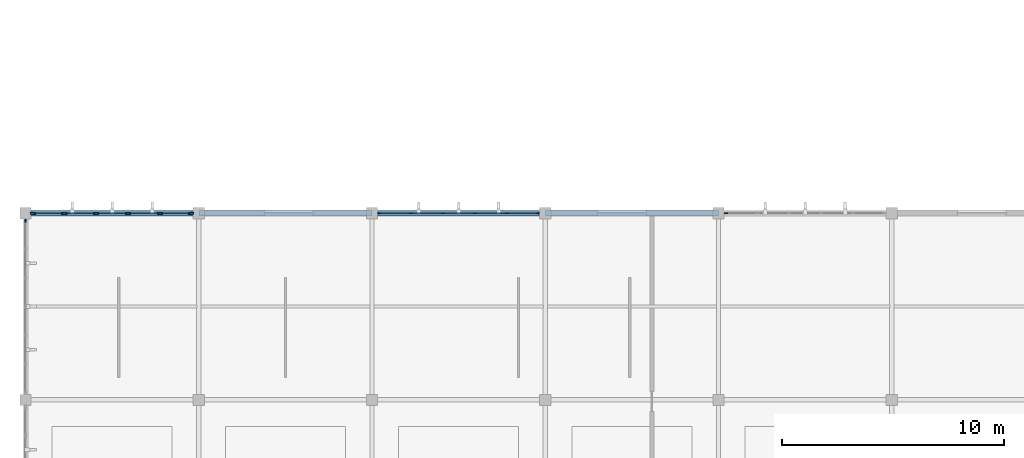
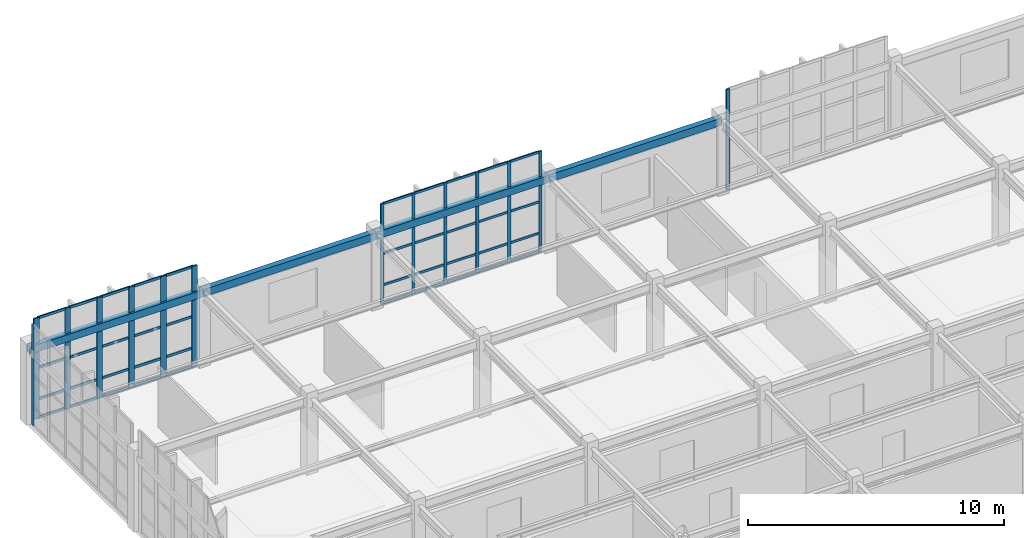
# One storey, part 7 of 20: 54 members, 4 beams, 4 elements without a shape of their own.
"""IFC4 building model written with IfcOpenShell, lengths in metres."""

from ifc_helpers import new_model, si_unit, direction, frame, origin, origin_2d, place, context, subcontext, project, spatial, rectangle, hollow_rectangle, extrude, material, material_profile, profile_set, type_object, element, aggregate, save


model = new_model("IFC4")

# Units and contexts
model_context = context("Model", 3, precision=1e-05, world=origin(), true_north=direction((0.0, 1.0)))
body_context = subcontext(model_context, "Body", "Model", "MODEL_VIEW")
ifc_project = project(units=[si_unit("LENGTHUNIT", "METRE"), si_unit("AREAUNIT", "SQUARE_METRE"), si_unit("VOLUMEUNIT", "CUBIC_METRE"), si_unit("PLANEANGLEUNIT", "RADIAN"), si_unit("MASSUNIT", "GRAM", prefix="KILO")], contexts=[model_context])

# Site, building, storey
site_placement = place(None, origin())
site = spatial("IfcSite", under=ifc_project, at=site_placement, CompositionType="ELEMENT")
building_placement = place(site_placement, origin())
building = spatial("IfcBuilding", under=site, at=building_placement, Name="Tizgana Railside Sports Hall", CompositionType="ELEMENT")
storey_placement = place(building_placement, frame((0.0, 0.0, 19.800048828125)))
storey = spatial("IfcBuildingStorey", under=building, at=storey_placement, Name="L04", CompositionType="ELEMENT", Elevation=19.800048828125)

# Curtain wall, members
ifc_material_1 = material(Name="Anodised aluminium and glass", Category="aluminium")
curtain_wall_type_1 = type_object("IfcCurtainWallType", Name="Unitised Curtain Wall Studio 1400", PredefinedType="NOTDEFINED", material=ifc_material_1)
curtain_wall_1_placement = place(storey_placement, origin())
curtain_wall_1 = element("IfcCurtainWall", 1, at=curtain_wall_1_placement, inside=storey, type_object=curtain_wall_type_1, Name="L04 Curtain Wall CW-0138", PredefinedType="NOTDEFINED")
ifc_material_2 = material(Name="Anodised aluminium", Category="aluminium")
ifc_material_profile_1 = material_profile(ifc_material_2, rectangle(XDim=0.06005859375, YDim=0.139892578125, at=origin_2d()), Name="Mullion 60x140")
ifc_profile_set_1 = profile_set([ifc_material_profile_1], Name="Anodised aluminium")
member_type_1 = type_object("IfcMemberType", Name="Mullion 60x140", PredefinedType="MULLION", material=ifc_profile_set_1)
member_1_placement = place(storey_placement, frame((23.735107421875, 32.39990234375, 0.0), z_axis=(0.0, 0.0, 1.0), x_axis=(0.0, 1.0, 0.0)))
member_1 = element("IfcMember", 2, at=member_1_placement, type_object=member_type_1, Name="CW-03 mullion 1", PredefinedType="MULLION", context=body_context, shape_type="SweptSolid", body=[
    extrude(rectangle(XDim=0.06005859375, YDim=0.139892578125, at=origin_2d()), origin(), (0.0, 0.0, 1.0), 4.800048828125),
])
member_2_placement = place(storey_placement, frame((25.14306640625, 32.39990234375, 0.0), z_axis=(0.0, 0.0, 1.0), x_axis=(0.0, 1.0, 0.0)))
member_2 = element("IfcMember", 3, at=member_2_placement, type_object=member_type_1, Name="CW-03 mullion 2", PredefinedType="MULLION", context=body_context, shape_type="SweptSolid", body=[
    extrude(rectangle(XDim=0.06005859375, YDim=0.139892578125, at=origin_2d()), origin(), (0.0, 0.0, 1.0), 4.800048828125),
])
member_3_placement = place(storey_placement, frame((26.5810546875, 32.39990234375, 0.0), z_axis=(0.0, 0.0, 1.0), x_axis=(0.0, 1.0, 0.0)))
member_3 = element("IfcMember", 4, at=member_3_placement, type_object=member_type_1, Name="CW-03 mullion 3", PredefinedType="MULLION", context=body_context, shape_type="SweptSolid", body=[
    extrude(rectangle(XDim=0.06005859375, YDim=0.139892578125, at=origin_2d()), origin(), (0.0, 0.0, 1.0), 4.800048828125),
])
member_4_placement = place(storey_placement, frame((28.01904296875, 32.39990234375, 0.0), z_axis=(0.0, 0.0, 1.0), x_axis=(0.0, 1.0, 0.0)))
member_4 = element("IfcMember", 5, at=member_4_placement, type_object=member_type_1, Name="CW-03 mullion 4", PredefinedType="MULLION", context=body_context, shape_type="SweptSolid", body=[
    extrude(rectangle(XDim=0.06005859375, YDim=0.139892578125, at=origin_2d()), origin(), (0.0, 0.0, 1.0), 4.800048828125),
])
member_5_placement = place(storey_placement, frame((29.45703125, 32.39990234375, 0.0), z_axis=(0.0, 0.0, 1.0), x_axis=(0.0, 1.0, 0.0)))
member_5 = element("IfcMember", 6, at=member_5_placement, type_object=member_type_1, Name="CW-03 mullion 5", PredefinedType="MULLION", context=body_context, shape_type="SweptSolid", body=[
    extrude(rectangle(XDim=0.06005859375, YDim=0.139892578125, at=origin_2d()), origin(), (0.0, 0.0, 1.0), 4.800048828125),
])
member_6_placement = place(storey_placement, frame((30.864990234375, 32.39990234375, 0.0), z_axis=(0.0, 0.0, 1.0), x_axis=(0.0, 1.0, 0.0)))
member_6 = element("IfcMember", 7, at=member_6_placement, type_object=member_type_1, Name="CW-03 mullion 6", PredefinedType="MULLION", context=body_context, shape_type="SweptSolid", body=[
    extrude(rectangle(XDim=0.06005859375, YDim=0.139892578125, at=origin_2d()), origin(), (0.0, 0.0, 1.0), 4.800048828125),
])

# Curtain wall, member
curtain_wall_type_2 = type_object("IfcCurtainWallType", Name="Unitised Curtain Wall Concourse 1500", PredefinedType="NOTDEFINED", material=ifc_material_1)
curtain_wall_2_placement = place(storey_placement, origin())
curtain_wall_2 = element("IfcCurtainWall", 8, at=curtain_wall_2_placement, inside=storey, type_object=curtain_wall_type_2, Name="L04 Curtain Wall CW-0144", PredefinedType="NOTDEFINED")
member_7_placement = place(storey_placement, frame((7.800048828125, 32.06494140625, 0.0), z_axis=(0.0, 0.0, 1.0), x_axis=(1.0, 0.0, 0.0)))
member_7 = element("IfcMember", 9, at=member_7_placement, type_object=member_type_1, Name="CW-01 mullion 1", PredefinedType="MULLION", context=body_context, shape_type="SweptSolid", body=[
    extrude(rectangle(XDim=0.06005859375, YDim=0.139892578125, at=origin_2d()), origin(), (0.0, 0.0, 1.0), 4.800048828125),
])
aggregate(curtain_wall_2, [member_7])

curtain_wall_type_3 = type_object("IfcCurtainWallType", Name="Unitised Curtain Wall Climbing 1600", PredefinedType="NOTDEFINED", material=ifc_material_1)
curtain_wall_3_placement = place(storey_placement, origin())
curtain_wall_3 = element("IfcCurtainWall", 10, at=curtain_wall_3_placement, inside=storey, type_object=curtain_wall_type_3, Name="L04 Curtain Wall CW-0139", PredefinedType="NOTDEFINED")
ifc_material_profile_2 = material_profile(ifc_material_2, rectangle(XDim=0.06005859375, YDim=0.159912109375, at=origin_2d()), Name="Mullion 60x160")
ifc_profile_set_2 = profile_set([ifc_material_profile_2], Name="Anodised aluminium")
member_type_2 = type_object("IfcMemberType", Name="Mullion 60x160", PredefinedType="MULLION", material=ifc_profile_set_2)
member_8_placement = place(storey_placement, frame((39.3349609375, 32.39990234375, 0.0), z_axis=(0.0, 0.0, 1.0), x_axis=(0.0, 1.0, 0.0)))
member_8 = element("IfcMember", 11, at=member_8_placement, type_object=member_type_2, Name="CW-04 mullion 1", PredefinedType="MULLION", context=body_context, shape_type="SweptSolid", body=[
    extrude(rectangle(XDim=0.06005859375, YDim=0.159912109375, at=origin_2d()), origin(), (0.0, 0.0, 1.0), 4.800048828125),
])
aggregate(curtain_wall_3, [member_8])

# Curtain wall, members
curtain_wall_type_4 = type_object("IfcCurtainWallType", Name="Unitised Curtain Wall Foyer 1300", PredefinedType="NOTDEFINED", material=ifc_material_1)
curtain_wall_4_placement = place(storey_placement, origin())
curtain_wall_4 = element("IfcCurtainWall", 12, at=curtain_wall_4_placement, inside=storey, type_object=curtain_wall_type_4, Name="L04 Curtain Wall CW-0137", PredefinedType="NOTDEFINED")
ifc_material_profile_3 = material_profile(ifc_material_2, rectangle(XDim=0.074951171875, YDim=0.25, at=origin_2d()), Name="Mullion 75x250")
ifc_profile_set_3 = profile_set([ifc_material_profile_3], Name="Anodised aluminium")
member_type_3 = type_object("IfcMemberType", Name="Mullion 75x250", PredefinedType="MULLION", material=ifc_profile_set_3)
member_9_placement = place(storey_placement, frame((8.142578125, 32.39990234375, 0.0), z_axis=(0.0, 0.0, 1.0), x_axis=(0.0, 1.0, 0.0)))
member_9 = element("IfcMember", 13, at=member_9_placement, type_object=member_type_3, Name="CW-02 mullion 1", PredefinedType="MULLION", context=body_context, shape_type="SweptSolid", body=[
    extrude(rectangle(XDim=0.074951171875, YDim=0.25, at=origin_2d()), origin(), (0.0, 0.0, 1.0), 4.800048828125),
])
member_10_placement = place(storey_placement, frame((9.54296875, 32.39990234375, 0.0), z_axis=(0.0, 0.0, 1.0), x_axis=(0.0, 1.0, 0.0)))
member_10 = element("IfcMember", 14, at=member_10_placement, type_object=member_type_3, Name="CW-02 mullion 2", PredefinedType="MULLION", context=body_context, shape_type="SweptSolid", body=[
    extrude(rectangle(XDim=0.074951171875, YDim=0.25, at=origin_2d()), origin(), (0.0, 0.0, 1.0), 4.800048828125),
])
member_11_placement = place(storey_placement, frame((10.98095703125, 32.39990234375, 0.0), z_axis=(0.0, 0.0, 1.0), x_axis=(0.0, 1.0, 0.0)))
member_11 = element("IfcMember", 15, at=member_11_placement, type_object=member_type_3, Name="CW-02 mullion 3", PredefinedType="MULLION", context=body_context, shape_type="SweptSolid", body=[
    extrude(rectangle(XDim=0.074951171875, YDim=0.25, at=origin_2d()), origin(), (0.0, 0.0, 1.0), 4.800048828125),
])
member_12_placement = place(storey_placement, frame((12.4189453125, 32.39990234375, 0.0), z_axis=(0.0, 0.0, 1.0), x_axis=(0.0, 1.0, 0.0)))
member_12 = element("IfcMember", 16, at=member_12_placement, type_object=member_type_3, Name="CW-02 mullion 4", PredefinedType="MULLION", context=body_context, shape_type="SweptSolid", body=[
    extrude(rectangle(XDim=0.074951171875, YDim=0.25, at=origin_2d()), origin(), (0.0, 0.0, 1.0), 4.800048828125),
])
member_13_placement = place(storey_placement, frame((13.85693359375, 32.39990234375, 0.0), z_axis=(0.0, 0.0, 1.0), x_axis=(0.0, 1.0, 0.0)))
member_13 = element("IfcMember", 17, at=member_13_placement, type_object=member_type_3, Name="CW-02 mullion 5", PredefinedType="MULLION", context=body_context, shape_type="SweptSolid", body=[
    extrude(rectangle(XDim=0.074951171875, YDim=0.25, at=origin_2d()), origin(), (0.0, 0.0, 1.0), 4.800048828125),
])
member_14_placement = place(storey_placement, frame((15.257568359375, 32.39990234375, 0.0), z_axis=(0.0, 0.0, 1.0), x_axis=(0.0, 1.0, 0.0)))
member_14 = element("IfcMember", 18, at=member_14_placement, type_object=member_type_3, Name="CW-02 mullion 6", PredefinedType="MULLION", context=body_context, shape_type="SweptSolid", body=[
    extrude(rectangle(XDim=0.074951171875, YDim=0.25, at=origin_2d()), origin(), (0.0, 0.0, 1.0), 4.800048828125),
])

# Beams
ifc_material_3 = material(Name="Steel S355J2", Category="steel")
ifc_material_profile_4 = material_profile(ifc_material_3, hollow_rectangle(XDim=0.25, YDim=0.35009765625, WallThickness=0.011962890625, at=origin_2d()), Name="RHS 350x250x12")
ifc_profile_set_4 = profile_set([ifc_material_profile_4], Name="Steel S355J2")
beam_type = type_object("IfcBeamType", Name="Steel Spandrel RHS 350x250x12", PredefinedType="SPANDREL", material=ifc_profile_set_4)
beam_1_placement = place(storey_placement, frame((7.800048828125, 32.39990234375, 3.4208984375), z_axis=(1.0, 0.0, 0.0), x_axis=(0.0, 1.0, 0.0)))
element("IfcBeam", 19, at=beam_1_placement, inside=storey, type_object=beam_type, Name="L04 BEM-0817", PredefinedType="SPANDREL", context=body_context, shape_type="SweptSolid", body=[
    extrude(hollow_rectangle(XDim=0.25, YDim=0.35009765625, WallThickness=0.011962890625, at=origin_2d()), origin(), (0.0, 0.0, 1.0), 7.800048828125),
])
beam_2_placement = place(storey_placement, frame((15.60009765625, 32.39990234375, 3.4208984375), z_axis=(1.0, 0.0, 0.0), x_axis=(0.0, 1.0, 0.0)))
element("IfcBeam", 20, at=beam_2_placement, inside=storey, type_object=beam_type, Name="L04 BEM-0824", PredefinedType="SPANDREL", context=body_context, shape_type="SweptSolid", body=[
    extrude(hollow_rectangle(XDim=0.25, YDim=0.35009765625, WallThickness=0.011962890625, at=origin_2d()), origin(), (0.0, 0.0, 1.0), 7.7998046875),
])
for number, where, z_axis, x_axis, name in (
    (21, (23.39990234375, 32.39990234375, 3.4208984375), (1.0, 0.0, 0.0), (0.0, 1.0, 0.0), "L04 BEM-0832"),
    (22, (31.199951171875, 32.39990234375, 3.4208984375), (1.0, 0.0, 0.0), (0.0, 1.0, 0.0), "L04 BEM-0841"),
):
    element("IfcBeam", number, at=place(storey_placement, frame(where, z_axis=z_axis, x_axis=x_axis)), inside=storey, type_object=beam_type, Name=name, PredefinedType="SPANDREL", context=body_context, shape_type="SweptSolid", body=[
        extrude(hollow_rectangle(XDim=0.25, YDim=0.35009765625, WallThickness=0.011962890625, at=origin_2d()), origin(), (0.0, 0.0, 1.0), 7.800048828125),
    ])

# Member
ifc_material_profile_5 = material_profile(ifc_material_2, rectangle(XDim=0.054931640625, YDim=0.1201171875, at=origin_2d()), Name="Transom 55x120")
ifc_profile_set_5 = profile_set([ifc_material_profile_5], Name="Anodised aluminium")
member_type_4 = type_object("IfcMemberType", Name="Transom 55x120", PredefinedType="USERDEFINED", material=ifc_profile_set_5)
member_15_placement = place(storey_placement, frame((8.179931640625, 32.39990234375, 0.02734375), z_axis=(1.0, 0.0, 0.0), x_axis=(0.0, 1.0, 0.0)))
member_15 = element("IfcMember", 23, at=member_15_placement, type_object=member_type_4, Name="CW-02 transom 1.1", ObjectType="TRANSOM", PredefinedType="USERDEFINED", context=body_context, shape_type="SweptSolid", body=[
    extrude(rectangle(XDim=0.054931640625, YDim=0.1201171875, at=origin_2d()), origin(), (0.0, 0.0, 1.0), 1.32568359375),
])

member_16_placement = place(storey_placement, frame((8.179931640625, 32.39990234375, 0.89990234375), z_axis=(1.0, 0.0, 0.0), x_axis=(0.0, 1.0, 0.0)))
member_16 = element("IfcMember", 24, at=member_16_placement, type_object=member_type_4, Name="CW-02 transom 1.2", ObjectType="TRANSOM", PredefinedType="USERDEFINED", context=body_context, shape_type="SweptSolid", body=[
    extrude(rectangle(XDim=0.054931640625, YDim=0.1201171875, at=origin_2d()), origin(), (0.0, 0.0, 1.0), 1.32568359375),
])

member_17_placement = place(storey_placement, frame((8.179931640625, 32.39990234375, 2.39990234375), z_axis=(1.0, 0.0, 0.0), x_axis=(0.0, 1.0, 0.0)))
member_17 = element("IfcMember", 25, at=member_17_placement, type_object=member_type_4, Name="CW-02 transom 1.3", ObjectType="TRANSOM", PredefinedType="USERDEFINED", context=body_context, shape_type="SweptSolid", body=[
    extrude(rectangle(XDim=0.054931640625, YDim=0.1201171875, at=origin_2d()), origin(), (0.0, 0.0, 1.0), 1.32568359375),
])

member_18_placement = place(storey_placement, frame((8.179931640625, 32.39990234375, 4.7724609375), z_axis=(1.0, 0.0, 0.0), x_axis=(0.0, 1.0, 0.0)))
member_18 = element("IfcMember", 26, at=member_18_placement, type_object=member_type_4, Name="CW-02 transom 1.4", ObjectType="TRANSOM", PredefinedType="USERDEFINED", context=body_context, shape_type="SweptSolid", body=[
    extrude(rectangle(XDim=0.054931640625, YDim=0.1201171875, at=origin_2d()), origin(), (0.0, 0.0, 1.0), 1.32568359375),
])

member_19_placement = place(storey_placement, frame((9.58056640625, 32.39990234375, 0.02734375), z_axis=(1.0, 0.0, 0.0), x_axis=(0.0, 1.0, 0.0)))
member_19 = element("IfcMember", 27, at=member_19_placement, type_object=member_type_4, Name="CW-02 transom 2.1", ObjectType="TRANSOM", PredefinedType="USERDEFINED", context=body_context, shape_type="SweptSolid", body=[
    extrude(rectangle(XDim=0.054931640625, YDim=0.1201171875, at=origin_2d()), origin(), (0.0, 0.0, 1.0), 1.363037109375),
])

member_20_placement = place(storey_placement, frame((9.58056640625, 32.39990234375, 0.89990234375), z_axis=(1.0, 0.0, 0.0), x_axis=(0.0, 1.0, 0.0)))
member_20 = element("IfcMember", 28, at=member_20_placement, type_object=member_type_4, Name="CW-02 transom 2.2", ObjectType="TRANSOM", PredefinedType="USERDEFINED", context=body_context, shape_type="SweptSolid", body=[
    extrude(rectangle(XDim=0.054931640625, YDim=0.1201171875, at=origin_2d()), origin(), (0.0, 0.0, 1.0), 1.363037109375),
])

member_21_placement = place(storey_placement, frame((9.58056640625, 32.39990234375, 2.39990234375), z_axis=(1.0, 0.0, 0.0), x_axis=(0.0, 1.0, 0.0)))
member_21 = element("IfcMember", 29, at=member_21_placement, type_object=member_type_4, Name="CW-02 transom 2.3", ObjectType="TRANSOM", PredefinedType="USERDEFINED", context=body_context, shape_type="SweptSolid", body=[
    extrude(rectangle(XDim=0.054931640625, YDim=0.1201171875, at=origin_2d()), origin(), (0.0, 0.0, 1.0), 1.363037109375),
])

member_22_placement = place(storey_placement, frame((9.58056640625, 32.39990234375, 4.7724609375), z_axis=(1.0, 0.0, 0.0), x_axis=(0.0, 1.0, 0.0)))
member_22 = element("IfcMember", 30, at=member_22_placement, type_object=member_type_4, Name="CW-02 transom 2.4", ObjectType="TRANSOM", PredefinedType="USERDEFINED", context=body_context, shape_type="SweptSolid", body=[
    extrude(rectangle(XDim=0.054931640625, YDim=0.1201171875, at=origin_2d()), origin(), (0.0, 0.0, 1.0), 1.363037109375),
])

member_23_placement = place(storey_placement, frame((11.0185546875, 32.39990234375, 0.02734375), z_axis=(1.0, 0.0, 0.0), x_axis=(0.0, 1.0, 0.0)))
member_23 = element("IfcMember", 31, at=member_23_placement, type_object=member_type_4, Name="CW-02 transom 3.1", ObjectType="TRANSOM", PredefinedType="USERDEFINED", context=body_context, shape_type="SweptSolid", body=[
    extrude(rectangle(XDim=0.054931640625, YDim=0.1201171875, at=origin_2d()), origin(), (0.0, 0.0, 1.0), 1.363037109375),
])

member_24_placement = place(storey_placement, frame((11.0185546875, 32.39990234375, 0.89990234375), z_axis=(1.0, 0.0, 0.0), x_axis=(0.0, 1.0, 0.0)))
member_24 = element("IfcMember", 32, at=member_24_placement, type_object=member_type_4, Name="CW-02 transom 3.2", ObjectType="TRANSOM", PredefinedType="USERDEFINED", context=body_context, shape_type="SweptSolid", body=[
    extrude(rectangle(XDim=0.054931640625, YDim=0.1201171875, at=origin_2d()), origin(), (0.0, 0.0, 1.0), 1.363037109375),
])

member_25_placement = place(storey_placement, frame((11.0185546875, 32.39990234375, 2.39990234375), z_axis=(1.0, 0.0, 0.0), x_axis=(0.0, 1.0, 0.0)))
member_25 = element("IfcMember", 33, at=member_25_placement, type_object=member_type_4, Name="CW-02 transom 3.3", ObjectType="TRANSOM", PredefinedType="USERDEFINED", context=body_context, shape_type="SweptSolid", body=[
    extrude(rectangle(XDim=0.054931640625, YDim=0.1201171875, at=origin_2d()), origin(), (0.0, 0.0, 1.0), 1.363037109375),
])

member_26_placement = place(storey_placement, frame((11.0185546875, 32.39990234375, 4.7724609375), z_axis=(1.0, 0.0, 0.0), x_axis=(0.0, 1.0, 0.0)))
member_26 = element("IfcMember", 34, at=member_26_placement, type_object=member_type_4, Name="CW-02 transom 3.4", ObjectType="TRANSOM", PredefinedType="USERDEFINED", context=body_context, shape_type="SweptSolid", body=[
    extrude(rectangle(XDim=0.054931640625, YDim=0.1201171875, at=origin_2d()), origin(), (0.0, 0.0, 1.0), 1.363037109375),
])

member_27_placement = place(storey_placement, frame((12.45654296875, 32.39990234375, 0.02734375), z_axis=(1.0, 0.0, 0.0), x_axis=(0.0, 1.0, 0.0)))
member_27 = element("IfcMember", 35, at=member_27_placement, type_object=member_type_4, Name="CW-02 transom 4.1", ObjectType="TRANSOM", PredefinedType="USERDEFINED", context=body_context, shape_type="SweptSolid", body=[
    extrude(rectangle(XDim=0.054931640625, YDim=0.1201171875, at=origin_2d()), origin(), (0.0, 0.0, 1.0), 1.363037109375),
])

member_28_placement = place(storey_placement, frame((12.45654296875, 32.39990234375, 0.89990234375), z_axis=(1.0, 0.0, 0.0), x_axis=(0.0, 1.0, 0.0)))
member_28 = element("IfcMember", 36, at=member_28_placement, type_object=member_type_4, Name="CW-02 transom 4.2", ObjectType="TRANSOM", PredefinedType="USERDEFINED", context=body_context, shape_type="SweptSolid", body=[
    extrude(rectangle(XDim=0.054931640625, YDim=0.1201171875, at=origin_2d()), origin(), (0.0, 0.0, 1.0), 1.363037109375),
])

member_29_placement = place(storey_placement, frame((12.45654296875, 32.39990234375, 2.39990234375), z_axis=(1.0, 0.0, 0.0), x_axis=(0.0, 1.0, 0.0)))
member_29 = element("IfcMember", 37, at=member_29_placement, type_object=member_type_4, Name="CW-02 transom 4.3", ObjectType="TRANSOM", PredefinedType="USERDEFINED", context=body_context, shape_type="SweptSolid", body=[
    extrude(rectangle(XDim=0.054931640625, YDim=0.1201171875, at=origin_2d()), origin(), (0.0, 0.0, 1.0), 1.363037109375),
])

member_30_placement = place(storey_placement, frame((12.45654296875, 32.39990234375, 4.7724609375), z_axis=(1.0, 0.0, 0.0), x_axis=(0.0, 1.0, 0.0)))
member_30 = element("IfcMember", 38, at=member_30_placement, type_object=member_type_4, Name="CW-02 transom 4.4", ObjectType="TRANSOM", PredefinedType="USERDEFINED", context=body_context, shape_type="SweptSolid", body=[
    extrude(rectangle(XDim=0.054931640625, YDim=0.1201171875, at=origin_2d()), origin(), (0.0, 0.0, 1.0), 1.363037109375),
])

member_31_placement = place(storey_placement, frame((13.89453125, 32.39990234375, 0.02734375), z_axis=(1.0, 0.0, 0.0), x_axis=(0.0, 1.0, 0.0)))
member_31 = element("IfcMember", 39, at=member_31_placement, type_object=member_type_4, Name="CW-02 transom 5.1", ObjectType="TRANSOM", PredefinedType="USERDEFINED", context=body_context, shape_type="SweptSolid", body=[
    extrude(rectangle(XDim=0.054931640625, YDim=0.1201171875, at=origin_2d()), origin(), (0.0, 0.0, 1.0), 1.325439453125),
])

member_32_placement = place(storey_placement, frame((13.89453125, 32.39990234375, 0.89990234375), z_axis=(1.0, 0.0, 0.0), x_axis=(0.0, 1.0, 0.0)))
member_32 = element("IfcMember", 40, at=member_32_placement, type_object=member_type_4, Name="CW-02 transom 5.2", ObjectType="TRANSOM", PredefinedType="USERDEFINED", context=body_context, shape_type="SweptSolid", body=[
    extrude(rectangle(XDim=0.054931640625, YDim=0.1201171875, at=origin_2d()), origin(), (0.0, 0.0, 1.0), 1.325439453125),
])

member_33_placement = place(storey_placement, frame((13.89453125, 32.39990234375, 2.39990234375), z_axis=(1.0, 0.0, 0.0), x_axis=(0.0, 1.0, 0.0)))
member_33 = element("IfcMember", 41, at=member_33_placement, type_object=member_type_4, Name="CW-02 transom 5.3", ObjectType="TRANSOM", PredefinedType="USERDEFINED", context=body_context, shape_type="SweptSolid", body=[
    extrude(rectangle(XDim=0.054931640625, YDim=0.1201171875, at=origin_2d()), origin(), (0.0, 0.0, 1.0), 1.325439453125),
])

member_34_placement = place(storey_placement, frame((13.89453125, 32.39990234375, 4.7724609375), z_axis=(1.0, 0.0, 0.0), x_axis=(0.0, 1.0, 0.0)))
member_34 = element("IfcMember", 42, at=member_34_placement, type_object=member_type_4, Name="CW-02 transom 5.4", ObjectType="TRANSOM", PredefinedType="USERDEFINED", context=body_context, shape_type="SweptSolid", body=[
    extrude(rectangle(XDim=0.054931640625, YDim=0.1201171875, at=origin_2d()), origin(), (0.0, 0.0, 1.0), 1.325439453125),
])

aggregate(curtain_wall_4, [member_9, member_10, member_11, member_12, member_13, member_14, member_15, member_16, member_17, member_18, member_19, member_20, member_21, member_22, member_23, member_24, member_25, member_26, member_27, member_28, member_29, member_30, member_31, member_32, member_33, member_34])

ifc_material_profile_6 = material_profile(ifc_material_2, rectangle(XDim=0.06005859375, YDim=0.110107421875, at=origin_2d()), Name="Transom 60x110")
ifc_profile_set_6 = profile_set([ifc_material_profile_6], Name="Anodised aluminium")
member_type_5 = type_object("IfcMemberType", Name="Transom 60x110", PredefinedType="USERDEFINED", material=ifc_profile_set_6)
member_35_placement = place(storey_placement, frame((23.764892578125, 32.39990234375, 0.030029296875), z_axis=(1.0, 0.0, 0.0), x_axis=(0.0, 1.0, 0.0)))
member_35 = element("IfcMember", 43, at=member_35_placement, type_object=member_type_5, Name="CW-03 transom 1.1", ObjectType="TRANSOM", PredefinedType="USERDEFINED", context=body_context, shape_type="SweptSolid", body=[
    extrude(rectangle(XDim=0.06005859375, YDim=0.110107421875, at=origin_2d()), origin(), (0.0, 0.0, 1.0), 1.34814453125),
])

member_36_placement = place(storey_placement, frame((23.764892578125, 32.39990234375, 0.89990234375), z_axis=(1.0, 0.0, 0.0), x_axis=(0.0, 1.0, 0.0)))
member_36 = element("IfcMember", 44, at=member_36_placement, type_object=member_type_5, Name="CW-03 transom 1.2", ObjectType="TRANSOM", PredefinedType="USERDEFINED", context=body_context, shape_type="SweptSolid", body=[
    extrude(rectangle(XDim=0.06005859375, YDim=0.110107421875, at=origin_2d()), origin(), (0.0, 0.0, 1.0), 1.34814453125),
])

member_37_placement = place(storey_placement, frame((23.764892578125, 32.39990234375, 2.39990234375), z_axis=(1.0, 0.0, 0.0), x_axis=(0.0, 1.0, 0.0)))
member_37 = element("IfcMember", 45, at=member_37_placement, type_object=member_type_5, Name="CW-03 transom 1.3", ObjectType="TRANSOM", PredefinedType="USERDEFINED", context=body_context, shape_type="SweptSolid", body=[
    extrude(rectangle(XDim=0.06005859375, YDim=0.110107421875, at=origin_2d()), origin(), (0.0, 0.0, 1.0), 1.34814453125),
])

member_38_placement = place(storey_placement, frame((23.764892578125, 32.39990234375, 4.77001953125), z_axis=(1.0, 0.0, 0.0), x_axis=(0.0, 1.0, 0.0)))
member_38 = element("IfcMember", 46, at=member_38_placement, type_object=member_type_5, Name="CW-03 transom 1.4", ObjectType="TRANSOM", PredefinedType="USERDEFINED", context=body_context, shape_type="SweptSolid", body=[
    extrude(rectangle(XDim=0.06005859375, YDim=0.110107421875, at=origin_2d()), origin(), (0.0, 0.0, 1.0), 1.34814453125),
])

member_39_placement = place(storey_placement, frame((25.173095703125, 32.39990234375, 0.030029296875), z_axis=(1.0, 0.0, 0.0), x_axis=(0.0, 1.0, 0.0)))
member_39 = element("IfcMember", 47, at=member_39_placement, type_object=member_type_5, Name="CW-03 transom 2.1", ObjectType="TRANSOM", PredefinedType="USERDEFINED", context=body_context, shape_type="SweptSolid", body=[
    extrude(rectangle(XDim=0.06005859375, YDim=0.110107421875, at=origin_2d()), origin(), (0.0, 0.0, 1.0), 1.3779296875),
])

member_40_placement = place(storey_placement, frame((25.173095703125, 32.39990234375, 0.89990234375), z_axis=(1.0, 0.0, 0.0), x_axis=(0.0, 1.0, 0.0)))
member_40 = element("IfcMember", 48, at=member_40_placement, type_object=member_type_5, Name="CW-03 transom 2.2", ObjectType="TRANSOM", PredefinedType="USERDEFINED", context=body_context, shape_type="SweptSolid", body=[
    extrude(rectangle(XDim=0.06005859375, YDim=0.110107421875, at=origin_2d()), origin(), (0.0, 0.0, 1.0), 1.3779296875),
])

member_41_placement = place(storey_placement, frame((25.173095703125, 32.39990234375, 2.39990234375), z_axis=(1.0, 0.0, 0.0), x_axis=(0.0, 1.0, 0.0)))
member_41 = element("IfcMember", 49, at=member_41_placement, type_object=member_type_5, Name="CW-03 transom 2.3", ObjectType="TRANSOM", PredefinedType="USERDEFINED", context=body_context, shape_type="SweptSolid", body=[
    extrude(rectangle(XDim=0.06005859375, YDim=0.110107421875, at=origin_2d()), origin(), (0.0, 0.0, 1.0), 1.3779296875),
])

member_42_placement = place(storey_placement, frame((25.173095703125, 32.39990234375, 4.77001953125), z_axis=(1.0, 0.0, 0.0), x_axis=(0.0, 1.0, 0.0)))
member_42 = element("IfcMember", 50, at=member_42_placement, type_object=member_type_5, Name="CW-03 transom 2.4", ObjectType="TRANSOM", PredefinedType="USERDEFINED", context=body_context, shape_type="SweptSolid", body=[
    extrude(rectangle(XDim=0.06005859375, YDim=0.110107421875, at=origin_2d()), origin(), (0.0, 0.0, 1.0), 1.3779296875),
])

member_43_placement = place(storey_placement, frame((26.611083984375, 32.39990234375, 0.030029296875), z_axis=(1.0, 0.0, 0.0), x_axis=(0.0, 1.0, 0.0)))
member_43 = element("IfcMember", 51, at=member_43_placement, type_object=member_type_5, Name="CW-03 transom 3.1", ObjectType="TRANSOM", PredefinedType="USERDEFINED", context=body_context, shape_type="SweptSolid", body=[
    extrude(rectangle(XDim=0.06005859375, YDim=0.110107421875, at=origin_2d()), origin(), (0.0, 0.0, 1.0), 1.3779296875),
])

member_44_placement = place(storey_placement, frame((26.611083984375, 32.39990234375, 0.89990234375), z_axis=(1.0, 0.0, 0.0), x_axis=(0.0, 1.0, 0.0)))
member_44 = element("IfcMember", 52, at=member_44_placement, type_object=member_type_5, Name="CW-03 transom 3.2", ObjectType="TRANSOM", PredefinedType="USERDEFINED", context=body_context, shape_type="SweptSolid", body=[
    extrude(rectangle(XDim=0.06005859375, YDim=0.110107421875, at=origin_2d()), origin(), (0.0, 0.0, 1.0), 1.3779296875),
])

member_45_placement = place(storey_placement, frame((26.611083984375, 32.39990234375, 2.39990234375), z_axis=(1.0, 0.0, 0.0), x_axis=(0.0, 1.0, 0.0)))
member_45 = element("IfcMember", 53, at=member_45_placement, type_object=member_type_5, Name="CW-03 transom 3.3", ObjectType="TRANSOM", PredefinedType="USERDEFINED", context=body_context, shape_type="SweptSolid", body=[
    extrude(rectangle(XDim=0.06005859375, YDim=0.110107421875, at=origin_2d()), origin(), (0.0, 0.0, 1.0), 1.3779296875),
])

member_46_placement = place(storey_placement, frame((26.611083984375, 32.39990234375, 4.77001953125), z_axis=(1.0, 0.0, 0.0), x_axis=(0.0, 1.0, 0.0)))
member_46 = element("IfcMember", 54, at=member_46_placement, type_object=member_type_5, Name="CW-03 transom 3.4", ObjectType="TRANSOM", PredefinedType="USERDEFINED", context=body_context, shape_type="SweptSolid", body=[
    extrude(rectangle(XDim=0.06005859375, YDim=0.110107421875, at=origin_2d()), origin(), (0.0, 0.0, 1.0), 1.3779296875),
])

member_47_placement = place(storey_placement, frame((28.049072265625, 32.39990234375, 0.030029296875), z_axis=(1.0, 0.0, 0.0), x_axis=(0.0, 1.0, 0.0)))
member_47 = element("IfcMember", 55, at=member_47_placement, type_object=member_type_5, Name="CW-03 transom 4.1", ObjectType="TRANSOM", PredefinedType="USERDEFINED", context=body_context, shape_type="SweptSolid", body=[
    extrude(rectangle(XDim=0.06005859375, YDim=0.110107421875, at=origin_2d()), origin(), (0.0, 0.0, 1.0), 1.3779296875),
])

member_48_placement = place(storey_placement, frame((28.049072265625, 32.39990234375, 0.89990234375), z_axis=(1.0, 0.0, 0.0), x_axis=(0.0, 1.0, 0.0)))
member_48 = element("IfcMember", 56, at=member_48_placement, type_object=member_type_5, Name="CW-03 transom 4.2", ObjectType="TRANSOM", PredefinedType="USERDEFINED", context=body_context, shape_type="SweptSolid", body=[
    extrude(rectangle(XDim=0.06005859375, YDim=0.110107421875, at=origin_2d()), origin(), (0.0, 0.0, 1.0), 1.3779296875),
])

member_49_placement = place(storey_placement, frame((28.049072265625, 32.39990234375, 2.39990234375), z_axis=(1.0, 0.0, 0.0), x_axis=(0.0, 1.0, 0.0)))
member_49 = element("IfcMember", 57, at=member_49_placement, type_object=member_type_5, Name="CW-03 transom 4.3", ObjectType="TRANSOM", PredefinedType="USERDEFINED", context=body_context, shape_type="SweptSolid", body=[
    extrude(rectangle(XDim=0.06005859375, YDim=0.110107421875, at=origin_2d()), origin(), (0.0, 0.0, 1.0), 1.3779296875),
])

member_50_placement = place(storey_placement, frame((28.049072265625, 32.39990234375, 4.77001953125), z_axis=(1.0, 0.0, 0.0), x_axis=(0.0, 1.0, 0.0)))
member_50 = element("IfcMember", 58, at=member_50_placement, type_object=member_type_5, Name="CW-03 transom 4.4", ObjectType="TRANSOM", PredefinedType="USERDEFINED", context=body_context, shape_type="SweptSolid", body=[
    extrude(rectangle(XDim=0.06005859375, YDim=0.110107421875, at=origin_2d()), origin(), (0.0, 0.0, 1.0), 1.3779296875),
])

member_51_placement = place(storey_placement, frame((29.487060546875, 32.39990234375, 0.030029296875), z_axis=(1.0, 0.0, 0.0), x_axis=(0.0, 1.0, 0.0)))
member_51 = element("IfcMember", 59, at=member_51_placement, type_object=member_type_5, Name="CW-03 transom 5.1", ObjectType="TRANSOM", PredefinedType="USERDEFINED", context=body_context, shape_type="SweptSolid", body=[
    extrude(rectangle(XDim=0.06005859375, YDim=0.110107421875, at=origin_2d()), origin(), (0.0, 0.0, 1.0), 1.347900390625),
])

member_52_placement = place(storey_placement, frame((29.487060546875, 32.39990234375, 0.89990234375), z_axis=(1.0, 0.0, 0.0), x_axis=(0.0, 1.0, 0.0)))
member_52 = element("IfcMember", 60, at=member_52_placement, type_object=member_type_5, Name="CW-03 transom 5.2", ObjectType="TRANSOM", PredefinedType="USERDEFINED", context=body_context, shape_type="SweptSolid", body=[
    extrude(rectangle(XDim=0.06005859375, YDim=0.110107421875, at=origin_2d()), origin(), (0.0, 0.0, 1.0), 1.347900390625),
])

member_53_placement = place(storey_placement, frame((29.487060546875, 32.39990234375, 2.39990234375), z_axis=(1.0, 0.0, 0.0), x_axis=(0.0, 1.0, 0.0)))
member_53 = element("IfcMember", 61, at=member_53_placement, type_object=member_type_5, Name="CW-03 transom 5.3", ObjectType="TRANSOM", PredefinedType="USERDEFINED", context=body_context, shape_type="SweptSolid", body=[
    extrude(rectangle(XDim=0.06005859375, YDim=0.110107421875, at=origin_2d()), origin(), (0.0, 0.0, 1.0), 1.347900390625),
])

member_54_placement = place(storey_placement, frame((29.487060546875, 32.39990234375, 4.77001953125), z_axis=(1.0, 0.0, 0.0), x_axis=(0.0, 1.0, 0.0)))
member_54 = element("IfcMember", 62, at=member_54_placement, type_object=member_type_5, Name="CW-03 transom 5.4", ObjectType="TRANSOM", PredefinedType="USERDEFINED", context=body_context, shape_type="SweptSolid", body=[
    extrude(rectangle(XDim=0.06005859375, YDim=0.110107421875, at=origin_2d()), origin(), (0.0, 0.0, 1.0), 1.347900390625),
])

aggregate(curtain_wall_1, [member_1, member_2, member_3, member_4, member_5, member_6, member_35, member_36, member_37, member_38, member_39, member_40, member_41, member_42, member_43, member_44, member_45, member_46, member_47, member_48, member_49, member_50, member_51, member_52, member_53, member_54])

save(model, "model.ifc")
